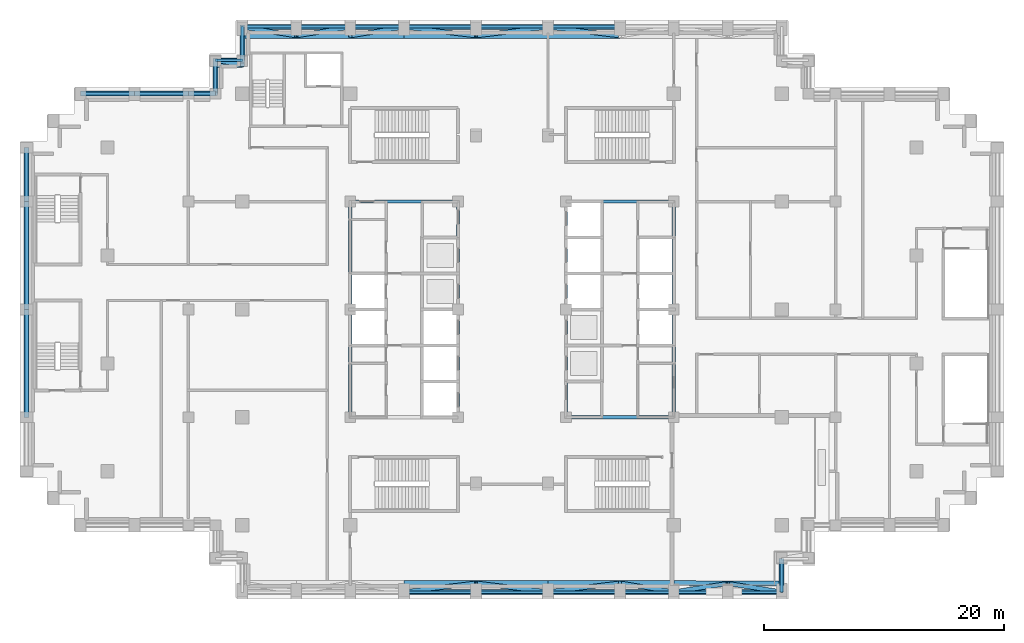
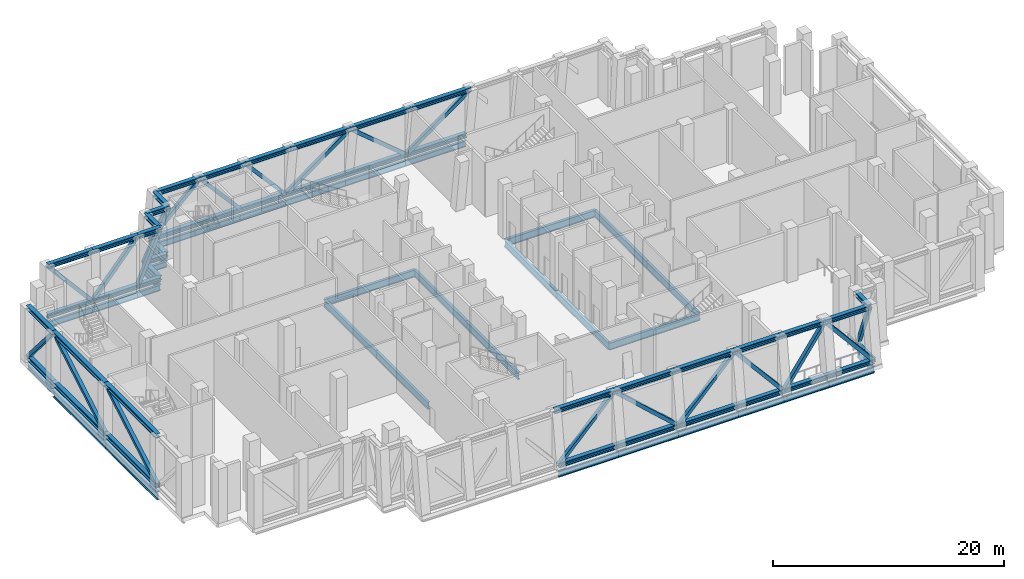
# One storey, part 2 of 14: 66 members, 33 beams.
"""IFC4 building model written with IfcOpenShell, lengths in metres."""

from ifc_helpers import new_model, si_unit, direction, frame, origin, origin_2d, place, context, subcontext, project, spatial, hollow_rectangle, i_section, extrude, material, material_profile, profile_set, type_object, element, save


model = new_model("IFC4")

# Units and contexts
model_context = context("Model", 3, precision=1e-05, world=origin(), true_north=direction((0.0, 1.0)))
body_context = subcontext(model_context, "Body", "Model", "MODEL_VIEW")
ifc_project = project(units=[si_unit("LENGTHUNIT", "METRE"), si_unit("AREAUNIT", "SQUARE_METRE"), si_unit("VOLUMEUNIT", "CUBIC_METRE"), si_unit("PLANEANGLEUNIT", "RADIAN"), si_unit("MASSUNIT", "GRAM", prefix="KILO")], contexts=[model_context])

# Site, building, storey
site_placement = place(None, origin())
site = spatial("IfcSite", under=ifc_project, at=site_placement, CompositionType="ELEMENT")
building_placement = place(site_placement, origin())
building = spatial("IfcBuilding", under=site, at=building_placement, Name="Corbelhall Arena Tower", CompositionType="ELEMENT")
storey_placement = place(building_placement, frame((0.0, 0.0, 178.0)))
storey = spatial("IfcBuildingStorey", under=building, at=storey_placement, Name="L36", CompositionType="ELEMENT", Elevation=178.0)

# Beams
ifc_material_1 = material(Name="Steel ASTM A992 Gr50", Category="steel")
ifc_material_profile_1 = material_profile(ifc_material_1, i_section(OverallWidth=0.2666015625, OverallDepth=0.761962890625, WebThickness=0.014404296875, FlangeThickness=0.021484375, at=origin_2d()))
ifc_profile_set_1 = profile_set([ifc_material_profile_1], Name="Steel ASTM A992 Gr50")
beam_type_1 = type_object("IfcBeamType", Name="ST-BEAM-W30x116", PredefinedType="BEAM", material=ifc_profile_set_1)
for number, where, z_axis, x_axis, name in (
    (1, (-13.5, -9.0, -0.791015625), (0.0, 1.0, 0.0), (-1.0, 0.0, 0.0), "Beam CEW 1"),
    (2, (-13.5, 0.0, -0.791015625), (0.0, 1.0, 0.0), (-1.0, 0.0, 0.0), "Beam CEW 2"),
    (3, (-4.5, -9.0, -0.791015625), (0.0, 1.0, 0.0), (-1.0, 0.0, 0.0), "Beam CEW 3"),
    (4, (-4.5, 0.0, -0.791015625), (0.0, 1.0, 0.0), (-1.0, 0.0, 0.0), "Beam CEW 4"),
    (5, (-13.5, 9.0, -0.791015625), (1.0, 0.0, 0.0), (0.0, 1.0, 0.0), "Beam CEW 6"),
    (6, (4.5, -9.0, -0.791015625), (0.0, 1.0, 0.0), (-1.0, 0.0, 0.0), "Beam CEE 7"),
    (7, (4.5, 0.0, -0.791015625), (0.0, 1.0, 0.0), (-1.0, 0.0, 0.0), "Beam CEE 8"),
    (8, (13.5, -9.0, -0.791015625), (0.0, 1.0, 0.0), (-1.0, 0.0, 0.0), "Beam CEE 9"),
    (9, (13.5, 0.0, -0.791015625), (0.0, 1.0, 0.0), (-1.0, 0.0, 0.0), "Beam CEE 10"),
    (10, (4.5, -9.0, -0.791015625), (1.0, 0.0, 0.0), (0.0, 1.0, 0.0), "Beam CEE 11"),
    (11, (4.5, 9.0, -0.791015625), (1.0, 0.0, 0.0), (0.0, 1.0, 0.0), "Beam CEE 12"),
):
    element("IfcBeam", number, at=place(storey_placement, frame(where, z_axis=z_axis, x_axis=x_axis)), inside=storey, type_object=beam_type_1, Name=name, PredefinedType="BEAM", context=body_context, shape_type="SweptSolid", body=[
        extrude(i_section(OverallWidth=0.2666015625, OverallDepth=0.761962890625, WebThickness=0.014404296875, FlangeThickness=0.021484375, at=origin_2d()), origin(), (0.0, 0.0, 1.0), 9.0),
    ])

# Members
ifc_material_2 = material(Name="Steel ASTM A913 Gr65", Category="steel")
ifc_material_profile_2 = material_profile(ifc_material_2, i_section(OverallWidth=0.421630859375, OverallDepth=0.46484375, WebThickness=0.044921875, FlangeThickness=0.072509765625, at=origin_2d()))
ifc_profile_set_2 = profile_set([ifc_material_profile_2], Name="Steel ASTM A913 Gr65")
member_type_1 = type_object("IfcMemberType", Name="ST-CHORD-W14x398", PredefinedType="CHORD", material=ifc_profile_set_2)
for number, where, z_axis, x_axis, name in (
    (12, (-40.5, 0.0, 0.232421875), (0.0, 1.0, 0.0), (-1.0, 0.0, 0.0), "Truss chord BC 1"),
    (13, (-40.5, 0.0, 5.487548828125), (0.0, 1.0, 0.0), (-1.0, 0.0, 0.0), "Truss chord TC 1"),
):
    element("IfcMember", number, at=place(storey_placement, frame(where, z_axis=z_axis, x_axis=x_axis)), inside=storey, type_object=member_type_1, Name=name, PredefinedType="CHORD", context=body_context, shape_type="SweptSolid", body=[
        extrude(i_section(OverallWidth=0.421630859375, OverallDepth=0.46484375, WebThickness=0.044921875, FlangeThickness=0.072509765625, at=origin_2d()), origin(), (0.0, 0.0, 1.0), 9.0),
    ])
for number, where, z_axis, x_axis, name in (
    (14, (-40.5, 9.0, 0.232421875), (0.0, 1.0, 0.0), (-1.0, 0.0, 0.0), "Truss chord BC 2"),
    (15, (-40.5, 9.0, 5.487548828125), (0.0, 1.0, 0.0), (-1.0, 0.0, 0.0), "Truss chord TC 2"),
):
    element("IfcMember", number, at=place(storey_placement, frame(where, z_axis=z_axis, x_axis=x_axis)), inside=storey, type_object=member_type_1, Name=name, PredefinedType="CHORD", context=body_context, shape_type="SweptSolid", body=[
        extrude(i_section(OverallWidth=0.421630859375, OverallDepth=0.46484375, WebThickness=0.044921875, FlangeThickness=0.072509765625, at=origin_2d()), origin(), (0.0, 0.0, 1.0), 4.5),
    ])
for number, where, z_axis, x_axis, name in (
    (16, (-40.5, -9.0, 0.232421875), (0.0, 1.0, 0.0), (-1.0, 0.0, 0.0), "Truss chord BC 3"),
    (17, (-40.5, -9.0, 5.487548828125), (0.0, 1.0, 0.0), (-1.0, 0.0, 0.0), "Truss chord TC 3"),
):
    element("IfcMember", number, at=place(storey_placement, frame(where, z_axis=z_axis, x_axis=x_axis)), inside=storey, type_object=member_type_1, Name=name, PredefinedType="CHORD", context=body_context, shape_type="SweptSolid", body=[
        extrude(i_section(OverallWidth=0.421630859375, OverallDepth=0.46484375, WebThickness=0.044921875, FlangeThickness=0.072509765625, at=origin_2d()), origin(), (0.0, 0.0, 1.0), 9.0),
    ])
for number, where, z_axis, x_axis, name in (
    (18, (-31.5, 18.0, 0.232421875), (1.0, 0.0, 0.0), (0.0, 1.0, 0.0), "Truss chord BC 5"),
    (19, (-31.5, 18.0, 5.487548828125), (1.0, 0.0, 0.0), (0.0, 1.0, 0.0), "Truss chord TC 5"),
    (20, (-36.0, 18.0, 0.232421875), (1.0, 0.0, 0.0), (0.0, 1.0, 0.0), "Truss chord BC 6"),
    (21, (-36.0, 18.0, 5.487548828125), (1.0, 0.0, 0.0), (0.0, 1.0, 0.0), "Truss chord TC 6"),
):
    element("IfcMember", number, at=place(storey_placement, frame(where, z_axis=z_axis, x_axis=x_axis)), inside=storey, type_object=member_type_1, Name=name, PredefinedType="CHORD", context=body_context, shape_type="SweptSolid", body=[
        extrude(i_section(OverallWidth=0.421630859375, OverallDepth=0.46484375, WebThickness=0.044921875, FlangeThickness=0.072509765625, at=origin_2d()), origin(), (0.0, 0.0, 1.0), 4.5),
    ])
for number, where, z_axis, x_axis, name in (
    (22, (3.0, 23.5673828125, 0.232421875), (1.0, 0.0, 0.0), (0.0, 1.0, 0.0), "Truss chord BC 17"),
    (23, (3.0, 22.83251953125, 5.487548828125), (1.0, 0.0, 0.0), (0.0, 1.0, 0.0), "Truss chord TC 17"),
    (24, (-3.0, 23.5673828125, 0.232421875), (1.0, 0.0, 0.0), (0.0, 1.0, 0.0), "Truss chord BC 22"),
    (25, (-3.0, 22.83251953125, 5.487548828125), (1.0, 0.0, 0.0), (0.0, 1.0, 0.0), "Truss chord TC 22"),
    (26, (-9.0, 23.5673828125, 0.232421875), (1.0, 0.0, 0.0), (0.0, 1.0, 0.0), "Truss chord BC 23"),
    (27, (-9.0, 22.83251953125, 5.487548828125), (1.0, 0.0, 0.0), (0.0, 1.0, 0.0), "Truss chord TC 23"),
):
    element("IfcMember", number, at=place(storey_placement, frame(where, z_axis=z_axis, x_axis=x_axis)), inside=storey, type_object=member_type_1, Name=name, PredefinedType="CHORD", context=body_context, shape_type="SweptSolid", body=[
        extrude(i_section(OverallWidth=0.421630859375, OverallDepth=0.46484375, WebThickness=0.044921875, FlangeThickness=0.072509765625, at=origin_2d()), origin(), (0.0, 0.0, 1.0), 6.0),
    ])
for number, where, z_axis, x_axis, name in (
    (28, (-13.5, 23.5673828125, 0.232421875), (1.0, 0.0, 0.0), (0.0, 1.0, 0.0), "Truss chord BC 24"),
    (29, (-13.5, 22.83251953125, 5.487548828125), (1.0, 0.0, 0.0), (0.0, 1.0, 0.0), "Truss chord TC 24"),
    (30, (-18.0, 23.5673828125, 0.232421875), (1.0, 0.0, 0.0), (0.0, 1.0, 0.0), "Truss chord BC 25"),
    (31, (-18.0, 22.83251953125, 5.487548828125), (1.0, 0.0, 0.0), (0.0, 1.0, 0.0), "Truss chord TC 25"),
    (32, (-22.5, 23.5673828125, 0.232421875), (1.0, 0.0, 0.0), (0.0, 1.0, 0.0), "Truss chord BC 26"),
    (33, (-22.5, 22.83251953125, 5.487548828125), (1.0, 0.0, 0.0), (0.0, 1.0, 0.0), "Truss chord TC 26"),
):
    element("IfcMember", number, at=place(storey_placement, frame(where, z_axis=z_axis, x_axis=x_axis)), inside=storey, type_object=member_type_1, Name=name, PredefinedType="CHORD", context=body_context, shape_type="SweptSolid", body=[
        extrude(i_section(OverallWidth=0.421630859375, OverallDepth=0.46484375, WebThickness=0.044921875, FlangeThickness=0.072509765625, at=origin_2d()), origin(), (0.0, 0.0, 1.0), 4.5),
    ])
for number, where, z_axis, x_axis, name in (
    (34, (3.0, -23.5673828125, 0.232421875), (-1.0, 0.0, 0.0), (0.0, -1.0, 0.0), "Truss chord BC 27"),
    (35, (3.0, -22.83251953125, 5.487548828125), (-1.0, 0.0, 0.0), (0.0, -1.0, 0.0), "Truss chord TC 27"),
    (36, (9.0, -23.5673828125, 0.232421875), (-1.0, 0.0, 0.0), (0.0, -1.0, 0.0), "Truss chord BC 28"),
    (37, (9.0, -22.83251953125, 5.487548828125), (-1.0, 0.0, 0.0), (0.0, -1.0, 0.0), "Truss chord TC 28"),
):
    element("IfcMember", number, at=place(storey_placement, frame(where, z_axis=z_axis, x_axis=x_axis)), inside=storey, type_object=member_type_1, Name=name, PredefinedType="CHORD", context=body_context, shape_type="SweptSolid", body=[
        extrude(i_section(OverallWidth=0.421630859375, OverallDepth=0.46484375, WebThickness=0.044921875, FlangeThickness=0.072509765625, at=origin_2d()), origin(), (0.0, 0.0, 1.0), 6.0),
    ])
for number, where, z_axis, x_axis, name in (
    (38, (13.5, -23.5673828125, 0.232421875), (-1.0, 0.0, 0.0), (0.0, -1.0, 0.0), "Truss chord BC 29"),
    (39, (13.5, -22.83251953125, 5.487548828125), (-1.0, 0.0, 0.0), (0.0, -1.0, 0.0), "Truss chord TC 29"),
    (40, (18.0, -23.569091796875, 0.232421875), (-0.999999927886, 0.000379774278, 0.0), (-0.000379774278, -0.999999927886, 0.0), "Truss chord BC 30"),
):
    element("IfcMember", number, at=place(storey_placement, frame(where, z_axis=z_axis, x_axis=x_axis)), inside=storey, type_object=member_type_1, Name=name, PredefinedType="CHORD", context=body_context, shape_type="SweptSolid", body=[
        extrude(i_section(OverallWidth=0.421630859375, OverallDepth=0.46484375, WebThickness=0.044921875, FlangeThickness=0.072509765625, at=origin_2d()), origin(), (0.0, 0.0, 1.0), 4.5),
    ])
member_1_placement = place(storey_placement, frame((18.0, -22.868408203125, 5.487548828125), z_axis=(-0.999968199128, 0.007975006796, 0.0), x_axis=(-0.007975006796, -0.999968199128, 0.0)))
element("IfcMember", 41, at=member_1_placement, inside=storey, type_object=member_type_1, Name="Truss chord TC 30", PredefinedType="CHORD", context=body_context, shape_type="SweptSolid", body=[
    extrude(i_section(OverallWidth=0.421630859375, OverallDepth=0.46484375, WebThickness=0.044921875, FlangeThickness=0.072509765625, at=origin_2d()), origin(), (0.0, 0.0, 1.0), 4.500244140625),
])
for number, where, z_axis, x_axis, name in (
    (42, (22.5, -23.569091796875, 0.232421875), (-1.0, 0.0, 0.0), (0.0, -1.0, 0.0), "Truss chord BC 31"),
    (43, (22.5, -22.868408203125, 5.487548828125), (-1.0, 0.0, 0.0), (0.0, -1.0, 0.0), "Truss chord TC 31"),
):
    element("IfcMember", number, at=place(storey_placement, frame(where, z_axis=z_axis, x_axis=x_axis)), inside=storey, type_object=member_type_1, Name=name, PredefinedType="CHORD", context=body_context, shape_type="SweptSolid", body=[
        extrude(i_section(OverallWidth=0.421630859375, OverallDepth=0.46484375, WebThickness=0.044921875, FlangeThickness=0.072509765625, at=origin_2d()), origin(), (0.0, 0.0, 1.0), 4.5),
    ])
for number, where, z_axis, x_axis, name in (
    (44, (-3.0, -23.5673828125, 0.232421875), (-1.0, 0.0, 0.0), (0.0, -1.0, 0.0), "Truss chord BC 32"),
    (45, (-3.0, -22.83251953125, 5.487548828125), (-1.0, 0.0, 0.0), (0.0, -1.0, 0.0), "Truss chord TC 32"),
):
    element("IfcMember", number, at=place(storey_placement, frame(where, z_axis=z_axis, x_axis=x_axis)), inside=storey, type_object=member_type_1, Name=name, PredefinedType="CHORD", context=body_context, shape_type="SweptSolid", body=[
        extrude(i_section(OverallWidth=0.421630859375, OverallDepth=0.46484375, WebThickness=0.044921875, FlangeThickness=0.072509765625, at=origin_2d()), origin(), (0.0, 0.0, 1.0), 6.0),
    ])
for number, where, z_axis, x_axis, name in (
    (46, (-27.0, 18.0, 0.232421875), (1.0, 0.0, 0.0), (0.0, 1.0, 0.0), "Truss chord BC 37"),
    (47, (-27.0, 18.0, 5.487548828125), (1.0, 0.0, 0.0), (0.0, 1.0, 0.0), "Truss chord TC 37"),
):
    element("IfcMember", number, at=place(storey_placement, frame(where, z_axis=z_axis, x_axis=x_axis)), inside=storey, type_object=member_type_1, Name=name, PredefinedType="CHORD", context=body_context, shape_type="SweptSolid", body=[
        extrude(i_section(OverallWidth=0.421630859375, OverallDepth=0.46484375, WebThickness=0.044921875, FlangeThickness=0.072509765625, at=origin_2d()), origin(), (0.0, 0.0, 1.0), 2.25),
    ])
member_2_placement = place(storey_placement, frame((-22.5, 20.78369140625, 0.232421875), z_axis=(0.0, 1.0, 0.0), x_axis=(-1.0, 0.0, 0.0)))
element("IfcMember", 48, at=member_2_placement, inside=storey, type_object=member_type_1, Name="Truss chord BC 42", PredefinedType="CHORD", context=body_context, shape_type="SweptSolid", body=[
    extrude(i_section(OverallWidth=0.421630859375, OverallDepth=0.46484375, WebThickness=0.044921875, FlangeThickness=0.072509765625, at=origin_2d()), origin(), (0.0, 0.0, 1.0), 2.78369140625),
])
member_3_placement = place(storey_placement, frame((-22.5, 20.416259765625, 5.487548828125), z_axis=(0.0, 1.0, 0.0), x_axis=(-1.0, 0.0, 0.0)))
element("IfcMember", 49, at=member_3_placement, inside=storey, type_object=member_type_1, Name="Truss chord TC 42", PredefinedType="CHORD", context=body_context, shape_type="SweptSolid", body=[
    extrude(i_section(OverallWidth=0.421630859375, OverallDepth=0.46484375, WebThickness=0.044921875, FlangeThickness=0.072509765625, at=origin_2d()), origin(), (0.0, 0.0, 1.0), 2.416259765625),
])
for number, where, z_axis, x_axis, name in (
    (50, (-24.75, 20.78369140625, 0.232421875), (1.0, 0.0, 0.0), (0.0, 1.0, 0.0), "Truss chord BC 43"),
    (51, (-24.75, 20.416259765625, 5.487548828125), (1.0, 0.0, 0.0), (0.0, 1.0, 0.0), "Truss chord TC 43"),
):
    element("IfcMember", number, at=place(storey_placement, frame(where, z_axis=z_axis, x_axis=x_axis)), inside=storey, type_object=member_type_1, Name=name, PredefinedType="CHORD", context=body_context, shape_type="SweptSolid", body=[
        extrude(i_section(OverallWidth=0.421630859375, OverallDepth=0.46484375, WebThickness=0.044921875, FlangeThickness=0.072509765625, at=origin_2d()), origin(), (0.0, 0.0, 1.0), 2.25),
    ])
member_4_placement = place(storey_placement, frame((-24.75, 18.0, 0.232421875), z_axis=(0.0, 1.0, 0.0), x_axis=(-1.0, 0.0, 0.0)))
element("IfcMember", 52, at=member_4_placement, inside=storey, type_object=member_type_1, Name="Truss chord BC 44", PredefinedType="CHORD", context=body_context, shape_type="SweptSolid", body=[
    extrude(i_section(OverallWidth=0.421630859375, OverallDepth=0.46484375, WebThickness=0.044921875, FlangeThickness=0.072509765625, at=origin_2d()), origin(), (0.0, 0.0, 1.0), 2.78369140625),
])
member_5_placement = place(storey_placement, frame((-24.75, 18.0, 5.487548828125), z_axis=(0.0, 1.0, 0.0), x_axis=(-1.0, 0.0, 0.0)))
element("IfcMember", 53, at=member_5_placement, inside=storey, type_object=member_type_1, Name="Truss chord TC 44", PredefinedType="CHORD", context=body_context, shape_type="SweptSolid", body=[
    extrude(i_section(OverallWidth=0.421630859375, OverallDepth=0.46484375, WebThickness=0.044921875, FlangeThickness=0.072509765625, at=origin_2d()), origin(), (0.0, 0.0, 1.0), 2.416259765625),
])
member_6_placement = place(storey_placement, frame((22.5, -20.784423828125, 0.232421875), z_axis=(0.0, -1.0, 0.0), x_axis=(1.0, 0.0, 0.0)))
element("IfcMember", 54, at=member_6_placement, inside=storey, type_object=member_type_1, Name="Truss chord BC 45", PredefinedType="CHORD", context=body_context, shape_type="SweptSolid", body=[
    extrude(i_section(OverallWidth=0.421630859375, OverallDepth=0.46484375, WebThickness=0.044921875, FlangeThickness=0.072509765625, at=origin_2d()), origin(), (0.0, 0.0, 1.0), 2.78466796875),
])
member_7_placement = place(storey_placement, frame((22.5, -20.43408203125, 5.487548828125), z_axis=(0.0, -1.0, 0.0), x_axis=(1.0, 0.0, 0.0)))
element("IfcMember", 55, at=member_7_placement, inside=storey, type_object=member_type_1, Name="Truss chord TC 45", PredefinedType="CHORD", context=body_context, shape_type="SweptSolid", body=[
    extrude(i_section(OverallWidth=0.421630859375, OverallDepth=0.46484375, WebThickness=0.044921875, FlangeThickness=0.072509765625, at=origin_2d()), origin(), (0.0, 0.0, 1.0), 2.434326171875),
])

# Beams
ifc_material_profile_3 = material_profile(ifc_material_1, i_section(OverallWidth=0.22900390625, OverallDepth=0.612060546875, WebThickness=0.011962890625, FlangeThickness=0.01953125, at=origin_2d()))
ifc_profile_set_3 = profile_set([ifc_material_profile_3], Name="Steel ASTM A992 Gr50")
beam_type_2 = type_object("IfcBeamType", Name="ST-SPANDREL-W24x84", PredefinedType="SPANDREL", material=ifc_profile_set_3)
for number, where, z_axis, x_axis, name in (
    (56, (-40.5, 9.0, -0.716064453125), (0.0, 1.0, 0.0), (-1.0, 0.0, 0.0), "Beam SP 2"),
    (57, (-31.5, 18.0, -0.716064453125), (1.0, 0.0, 0.0), (0.0, 1.0, 0.0), "Beam SP 5"),
    (58, (-36.0, 18.0, -0.716064453125), (1.0, 0.0, 0.0), (0.0, 1.0, 0.0), "Beam SP 6"),
):
    element("IfcBeam", number, at=place(storey_placement, frame(where, z_axis=z_axis, x_axis=x_axis)), inside=storey, type_object=beam_type_2, Name=name, PredefinedType="SPANDREL", context=body_context, shape_type="SweptSolid", body=[
        extrude(i_section(OverallWidth=0.22900390625, OverallDepth=0.612060546875, WebThickness=0.011962890625, FlangeThickness=0.01953125, at=origin_2d()), origin(), (0.0, 0.0, 1.0), 4.5),
    ])
for number, where, z_axis, x_axis, name in (
    (59, (3.0, 23.60009765625, -0.716064453125), (1.0, 0.0, 0.0), (0.0, 1.0, 0.0), "Beam SP 17"),
    (60, (-3.0, 23.60009765625, -0.716064453125), (1.0, 0.0, 0.0), (0.0, 1.0, 0.0), "Beam SP 22"),
    (61, (-9.0, 23.60009765625, -0.716064453125), (1.0, 0.0, 0.0), (0.0, 1.0, 0.0), "Beam SP 23"),
):
    element("IfcBeam", number, at=place(storey_placement, frame(where, z_axis=z_axis, x_axis=x_axis)), inside=storey, type_object=beam_type_2, Name=name, PredefinedType="SPANDREL", context=body_context, shape_type="SweptSolid", body=[
        extrude(i_section(OverallWidth=0.22900390625, OverallDepth=0.612060546875, WebThickness=0.011962890625, FlangeThickness=0.01953125, at=origin_2d()), origin(), (0.0, 0.0, 1.0), 6.0),
    ])
for number, where, z_axis, x_axis, name in (
    (62, (-13.5, 23.60009765625, -0.716064453125), (1.0, 0.0, 0.0), (0.0, 1.0, 0.0), "Beam SP 24"),
    (63, (-18.0, 23.60009765625, -0.716064453125), (1.0, 0.0, 0.0), (0.0, 1.0, 0.0), "Beam SP 25"),
    (64, (-22.5, 23.60009765625, -0.716064453125), (1.0, 0.0, 0.0), (0.0, 1.0, 0.0), "Beam SP 26"),
):
    element("IfcBeam", number, at=place(storey_placement, frame(where, z_axis=z_axis, x_axis=x_axis)), inside=storey, type_object=beam_type_2, Name=name, PredefinedType="SPANDREL", context=body_context, shape_type="SweptSolid", body=[
        extrude(i_section(OverallWidth=0.22900390625, OverallDepth=0.612060546875, WebThickness=0.011962890625, FlangeThickness=0.01953125, at=origin_2d()), origin(), (0.0, 0.0, 1.0), 4.5),
    ])
for number, where, z_axis, x_axis, name in (
    (65, (3.0, -23.60009765625, -0.716064453125), (-1.0, 0.0, 0.0), (0.0, -1.0, 0.0), "Beam SP 27"),
    (66, (9.0, -23.60009765625, -0.716064453125), (-1.0, 0.0, 0.0), (0.0, -1.0, 0.0), "Beam SP 28"),
):
    element("IfcBeam", number, at=place(storey_placement, frame(where, z_axis=z_axis, x_axis=x_axis)), inside=storey, type_object=beam_type_2, Name=name, PredefinedType="SPANDREL", context=body_context, shape_type="SweptSolid", body=[
        extrude(i_section(OverallWidth=0.22900390625, OverallDepth=0.612060546875, WebThickness=0.011962890625, FlangeThickness=0.01953125, at=origin_2d()), origin(), (0.0, 0.0, 1.0), 6.0),
    ])
for number, where, z_axis, x_axis, name in (
    (67, (13.5, -23.60009765625, -0.716064453125), (-1.0, 0.0, 0.0), (0.0, -1.0, 0.0), "Beam SP 29"),
    (68, (18.0, -23.60009765625, -0.716064453125), (-1.0, 0.0, 0.0), (0.0, -1.0, 0.0), "Beam SP 30"),
    (69, (22.5, -23.60009765625, -0.716064453125), (-1.0, 0.0, 0.0), (0.0, -1.0, 0.0), "Beam SP 31"),
):
    element("IfcBeam", number, at=place(storey_placement, frame(where, z_axis=z_axis, x_axis=x_axis)), inside=storey, type_object=beam_type_2, Name=name, PredefinedType="SPANDREL", context=body_context, shape_type="SweptSolid", body=[
        extrude(i_section(OverallWidth=0.22900390625, OverallDepth=0.612060546875, WebThickness=0.011962890625, FlangeThickness=0.01953125, at=origin_2d()), origin(), (0.0, 0.0, 1.0), 4.5),
    ])
beam_1_placement = place(storey_placement, frame((-3.0, -23.60009765625, -0.716064453125), z_axis=(-1.0, 0.0, 0.0), x_axis=(0.0, -1.0, 0.0)))
element("IfcBeam", 70, at=beam_1_placement, inside=storey, type_object=beam_type_2, Name="Beam SP 32", PredefinedType="SPANDREL", context=body_context, shape_type="SweptSolid", body=[
    extrude(i_section(OverallWidth=0.22900390625, OverallDepth=0.612060546875, WebThickness=0.011962890625, FlangeThickness=0.01953125, at=origin_2d()), origin(), (0.0, 0.0, 1.0), 6.0),
])
beam_2_placement = place(storey_placement, frame((-27.0, 18.0, -0.716064453125), z_axis=(1.0, 0.0, 0.0), x_axis=(0.0, 1.0, 0.0)))
element("IfcBeam", 71, at=beam_2_placement, inside=storey, type_object=beam_type_2, Name="Beam SP 37", PredefinedType="SPANDREL", context=body_context, shape_type="SweptSolid", body=[
    extrude(i_section(OverallWidth=0.22900390625, OverallDepth=0.612060546875, WebThickness=0.011962890625, FlangeThickness=0.01953125, at=origin_2d()), origin(), (0.0, 0.0, 1.0), 2.25),
])
beam_3_placement = place(storey_placement, frame((-22.5, 20.800048828125, -0.716064453125), z_axis=(0.0, 1.0, 0.0), x_axis=(-1.0, 0.0, 0.0)))
element("IfcBeam", 72, at=beam_3_placement, inside=storey, type_object=beam_type_2, Name="Beam SP 42", PredefinedType="SPANDREL", context=body_context, shape_type="SweptSolid", body=[
    extrude(i_section(OverallWidth=0.22900390625, OverallDepth=0.612060546875, WebThickness=0.011962890625, FlangeThickness=0.01953125, at=origin_2d()), origin(), (0.0, 0.0, 1.0), 2.800048828125),
])
beam_4_placement = place(storey_placement, frame((-24.75, 20.800048828125, -0.716064453125), z_axis=(1.0, 0.0, 0.0), x_axis=(0.0, 1.0, 0.0)))
element("IfcBeam", 73, at=beam_4_placement, inside=storey, type_object=beam_type_2, Name="Beam SP 43", PredefinedType="SPANDREL", context=body_context, shape_type="SweptSolid", body=[
    extrude(i_section(OverallWidth=0.22900390625, OverallDepth=0.612060546875, WebThickness=0.011962890625, FlangeThickness=0.01953125, at=origin_2d()), origin(), (0.0, 0.0, 1.0), 2.25),
])
for number, where, z_axis, x_axis, name in (
    (74, (-24.75, 18.0, -0.716064453125), (0.0, 1.0, 0.0), (-1.0, 0.0, 0.0), "Beam SP 44"),
    (75, (22.5, -20.800048828125, -0.716064453125), (0.0, -1.0, 0.0), (1.0, 0.0, 0.0), "Beam SP 45"),
):
    element("IfcBeam", number, at=place(storey_placement, frame(where, z_axis=z_axis, x_axis=x_axis)), inside=storey, type_object=beam_type_2, Name=name, PredefinedType="SPANDREL", context=body_context, shape_type="SweptSolid", body=[
        extrude(i_section(OverallWidth=0.22900390625, OverallDepth=0.612060546875, WebThickness=0.011962890625, FlangeThickness=0.01953125, at=origin_2d()), origin(), (0.0, 0.0, 1.0), 2.800048828125),
    ])
ifc_material_profile_4 = material_profile(ifc_material_1, i_section(OverallWidth=0.2919921875, OverallDepth=0.845703125, WebThickness=0.015380859375, FlangeThickness=0.0244140625, at=origin_2d()))
ifc_profile_set_4 = profile_set([ifc_material_profile_4], Name="Steel ASTM A992 Gr50")
beam_type_3 = type_object("IfcBeamType", Name="ST-SPANDREL-W33x141", PredefinedType="SPANDREL", material=ifc_profile_set_4)
for number, where, z_axis, x_axis, name in (
    (76, (-40.5, 0.0, -0.8330078125), (0.0, 1.0, 0.0), (-1.0, 0.0, 0.0), "Beam SP 1"),
    (77, (-40.5, -9.0, -0.8330078125), (0.0, 1.0, 0.0), (-1.0, 0.0, 0.0), "Beam SP 3"),
):
    element("IfcBeam", number, at=place(storey_placement, frame(where, z_axis=z_axis, x_axis=x_axis)), inside=storey, type_object=beam_type_3, Name=name, PredefinedType="SPANDREL", context=body_context, shape_type="SweptSolid", body=[
        extrude(i_section(OverallWidth=0.2919921875, OverallDepth=0.845703125, WebThickness=0.015380859375, FlangeThickness=0.0244140625, at=origin_2d()), origin(), (0.0, 0.0, 1.0), 9.0),
    ])

# Members
ifc_material_3 = material(Name="Steel ASTM A500 Gr C", Category="steel")
ifc_material_profile_5 = material_profile(ifc_material_3, hollow_rectangle(XDim=0.355712890625, YDim=0.355712890625, WallThickness=0.0146484375, at=origin_2d()))
ifc_profile_set_5 = profile_set([ifc_material_profile_5], Name="Steel ASTM A500 Gr C")
member_type_2 = type_object("IfcMemberType", Name="ST-STRUT-HSS14x14x5/8", PredefinedType="STRUT", material=ifc_profile_set_5)
member_8_placement = place(storey_placement, frame((-40.5, 0.0, 0.232421875), z_axis=(0.0, 0.863564714517, 0.504238023003), x_axis=(-1.0, 0.0, 0.0)))
element("IfcMember", 78, at=member_8_placement, inside=storey, type_object=member_type_2, Name="Truss diagonal 1", PredefinedType="STRUT", context=body_context, shape_type="SweptSolid", body=[
    extrude(hollow_rectangle(XDim=0.355712890625, YDim=0.355712890625, WallThickness=0.0146484375, at=origin_2d()), origin(), (0.0, 0.0, 1.0), 10.421875),
])
member_9_placement = place(storey_placement, frame((-40.5, 13.5, 0.232421875), z_axis=(0.0, -0.650425134729, 0.759570368112), x_axis=(1.0, 0.0, 0.0)))
element("IfcMember", 79, at=member_9_placement, inside=storey, type_object=member_type_2, Name="Truss diagonal 2", PredefinedType="STRUT", context=body_context, shape_type="SweptSolid", body=[
    extrude(hollow_rectangle(XDim=0.355712890625, YDim=0.355712890625, WallThickness=0.0146484375, at=origin_2d()), origin(), (0.0, 0.0, 1.0), 6.91845703125),
])
member_10_placement = place(storey_placement, frame((-40.5, -9.0, 0.232421875), z_axis=(0.0, 0.863564714517, 0.504238023003), x_axis=(-1.0, 0.0, 0.0)))
element("IfcMember", 80, at=member_10_placement, inside=storey, type_object=member_type_2, Name="Truss diagonal 3", PredefinedType="STRUT", context=body_context, shape_type="SweptSolid", body=[
    extrude(hollow_rectangle(XDim=0.355712890625, YDim=0.355712890625, WallThickness=0.0146484375, at=origin_2d()), origin(), (0.0, 0.0, 1.0), 10.421875),
])
for number, where, z_axis, x_axis, name in (
    (81, (-31.5, 18.0, 0.232421875), (0.650425134729, 0.0, 0.759570368112), (0.0, 1.0, 0.0), "Truss diagonal 5"),
    (82, (-31.5, 18.0, 0.232421875), (-0.650425134729, 0.0, 0.759570368112), (0.0, -1.0, 0.0), "Truss diagonal 6"),
):
    element("IfcMember", number, at=place(storey_placement, frame(where, z_axis=z_axis, x_axis=x_axis)), inside=storey, type_object=member_type_2, Name=name, PredefinedType="STRUT", context=body_context, shape_type="SweptSolid", body=[
        extrude(hollow_rectangle(XDim=0.355712890625, YDim=0.355712890625, WallThickness=0.0146484375, at=origin_2d()), origin(), (0.0, 0.0, 1.0), 6.91845703125),
    ])
for number, where, z_axis, x_axis, name in (
    (83, (3.0, 23.5673828125, 0.232421875), (0.749085367224, -0.091745888482, 0.656089783915), (0.121568800959, 0.992583007427, 0.0), "Truss diagonal 17"),
    (84, (3.0, 23.5673828125, 0.232421875), (-0.749085367224, -0.091745888482, 0.656089783915), (0.121568800959, -0.992583007427, 0.0), "Truss diagonal 22"),
    (85, (-9.0, 23.5673828125, 0.232421875), (0.749085367224, -0.091745888482, 0.656089783915), (0.121568800959, 0.992583007427, 0.0), "Truss diagonal 23"),
):
    element("IfcMember", number, at=place(storey_placement, frame(where, z_axis=z_axis, x_axis=x_axis)), inside=storey, type_object=member_type_2, Name=name, PredefinedType="STRUT", context=body_context, shape_type="SweptSolid", body=[
        extrude(hollow_rectangle(XDim=0.355712890625, YDim=0.355712890625, WallThickness=0.0146484375, at=origin_2d()), origin(), (0.0, 0.0, 1.0), 8.009765625),
    ])
for number, where, z_axis, x_axis, name in (
    (86, (-9.0, 23.5673828125, 0.232421875), (-0.646786871382, -0.105622205016, 0.755321582384), (0.161168087298, -0.986926971785, 0.0), "Truss diagonal 24"),
    (87, (-13.5, 23.5673828125, 0.232421875), (-0.646786871382, -0.105622205016, 0.755321582384), (0.161168087298, -0.986926971785, 0.0), "Truss diagonal 25"),
    (88, (-22.5, 23.5673828125, 0.232421875), (0.646786871382, -0.105622205016, 0.755321582384), (0.161168087298, 0.986926971785, 0.0), "Truss diagonal 26"),
):
    element("IfcMember", number, at=place(storey_placement, frame(where, z_axis=z_axis, x_axis=x_axis)), inside=storey, type_object=member_type_2, Name=name, PredefinedType="STRUT", context=body_context, shape_type="SweptSolid", body=[
        extrude(hollow_rectangle(XDim=0.355712890625, YDim=0.355712890625, WallThickness=0.0146484375, at=origin_2d()), origin(), (0.0, 0.0, 1.0), 6.95751953125),
    ])
for number, where, z_axis, x_axis, name in (
    (89, (3.0, -23.5673828125, 0.232421875), (-0.749085367224, 0.091745888482, 0.656089783915), (-0.121568800959, -0.992583007427, 0.0), "Truss diagonal 27"),
    (90, (3.0, -23.5673828125, 0.232421875), (0.749085367224, 0.091745888482, 0.656089783915), (-0.121568800959, 0.992583007427, 0.0), "Truss diagonal 28"),
):
    element("IfcMember", number, at=place(storey_placement, frame(where, z_axis=z_axis, x_axis=x_axis)), inside=storey, type_object=member_type_2, Name=name, PredefinedType="STRUT", context=body_context, shape_type="SweptSolid", body=[
        extrude(hollow_rectangle(XDim=0.355712890625, YDim=0.355712890625, WallThickness=0.0146484375, at=origin_2d()), origin(), (0.0, 0.0, 1.0), 8.009765625),
    ])
member_11_placement = place(storey_placement, frame((13.5, -23.5673828125, 0.232421875), z_axis=(-0.646786871382, 0.105622205016, 0.755321582384), x_axis=(-0.161168087298, -0.986926971785, 0.0)))
element("IfcMember", 91, at=member_11_placement, inside=storey, type_object=member_type_2, Name="Truss diagonal 29", PredefinedType="STRUT", context=body_context, shape_type="SweptSolid", body=[
    extrude(hollow_rectangle(XDim=0.355712890625, YDim=0.355712890625, WallThickness=0.0146484375, at=origin_2d()), origin(), (0.0, 0.0, 1.0), 6.95751953125),
])
for number, where, z_axis, x_axis, name in (
    (92, (13.5, -23.5673828125, 0.232421875), (0.647130929993, 0.100517353113, 0.75572337609), (-0.153487157645, 0.988150642583, 0.0), "Truss diagonal 30"),
    (93, (22.5, -23.569091796875, 0.232421875), (-0.647114924634, 0.100760624658, 0.755704684936), (-0.153853559361, -0.988093660678, 0.0), "Truss diagonal 31"),
):
    element("IfcMember", number, at=place(storey_placement, frame(where, z_axis=z_axis, x_axis=x_axis)), inside=storey, type_object=member_type_2, Name=name, PredefinedType="STRUT", context=body_context, shape_type="SweptSolid", body=[
        extrude(hollow_rectangle(XDim=0.355712890625, YDim=0.355712890625, WallThickness=0.0146484375, at=origin_2d()), origin(), (0.0, 0.0, 1.0), 6.953857421875),
    ])
member_12_placement = place(storey_placement, frame((-9.0, -23.5673828125, 0.232421875), z_axis=(0.749085367224, 0.091745888482, 0.656089783915), x_axis=(-0.121568800959, 0.992583007427, 0.0)))
element("IfcMember", 94, at=member_12_placement, inside=storey, type_object=member_type_2, Name="Truss diagonal 32", PredefinedType="STRUT", context=body_context, shape_type="SweptSolid", body=[
    extrude(hollow_rectangle(XDim=0.355712890625, YDim=0.355712890625, WallThickness=0.0146484375, at=origin_2d()), origin(), (0.0, 0.0, 1.0), 8.009765625),
])
member_13_placement = place(storey_placement, frame((-27.0, 18.0, 0.232421875), z_axis=(0.39359454789, 0.0, 0.919284140987), x_axis=(0.0, 1.0, 0.0)))
element("IfcMember", 95, at=member_13_placement, inside=storey, type_object=member_type_2, Name="Truss diagonal 37", PredefinedType="STRUT", context=body_context, shape_type="SweptSolid", body=[
    extrude(hollow_rectangle(XDim=0.355712890625, YDim=0.355712890625, WallThickness=0.0146484375, at=origin_2d()), origin(), (0.0, 0.0, 1.0), 5.716552734375),
])
member_14_placement = place(storey_placement, frame((-22.5, 23.5673828125, 0.232421875), z_axis=(0.0, -0.514261362084, 0.857633518158), x_axis=(1.0, 0.0, 0.0)))
element("IfcMember", 96, at=member_14_placement, inside=storey, type_object=member_type_2, Name="Truss diagonal 42", PredefinedType="STRUT", context=body_context, shape_type="SweptSolid", body=[
    extrude(hollow_rectangle(XDim=0.355712890625, YDim=0.355712890625, WallThickness=0.0146484375, at=origin_2d()), origin(), (0.0, 0.0, 1.0), 6.12744140625),
])
member_15_placement = place(storey_placement, frame((-24.75, 20.78369140625, 0.232421875), z_axis=(0.392784030782, -0.064142791485, 0.917391087521), x_axis=(0.161168087298, 0.986926971785, 0.0)))
element("IfcMember", 97, at=member_15_placement, inside=storey, type_object=member_type_2, Name="Truss diagonal 43", PredefinedType="STRUT", context=body_context, shape_type="SweptSolid", body=[
    extrude(hollow_rectangle(XDim=0.355712890625, YDim=0.355712890625, WallThickness=0.0146484375, at=origin_2d()), origin(), (0.0, 0.0, 1.0), 5.728271484375),
])
member_16_placement = place(storey_placement, frame((-24.75, 20.78369140625, 0.232421875), z_axis=(0.0, -0.468093308696, 0.883679044877), x_axis=(1.0, 0.0, 0.0)))
element("IfcMember", 98, at=member_16_placement, inside=storey, type_object=member_type_2, Name="Truss diagonal 44", PredefinedType="STRUT", context=body_context, shape_type="SweptSolid", body=[
    extrude(hollow_rectangle(XDim=0.355712890625, YDim=0.355712890625, WallThickness=0.0146484375, at=origin_2d()), origin(), (0.0, 0.0, 1.0), 5.94677734375),
])
member_17_placement = place(storey_placement, frame((22.5, -20.784423828125, 0.232421875), z_axis=(0.0, -0.368634084538, 0.929574586419), x_axis=(1.0, 0.0, 0.0)))
element("IfcMember", 99, at=member_17_placement, inside=storey, type_object=member_type_2, Name="Truss diagonal 45", PredefinedType="STRUT", context=body_context, shape_type="SweptSolid", body=[
    extrude(hollow_rectangle(XDim=0.355712890625, YDim=0.355712890625, WallThickness=0.0146484375, at=origin_2d()), origin(), (0.0, 0.0, 1.0), 5.6533203125),
])

save(model, "model.ifc")
